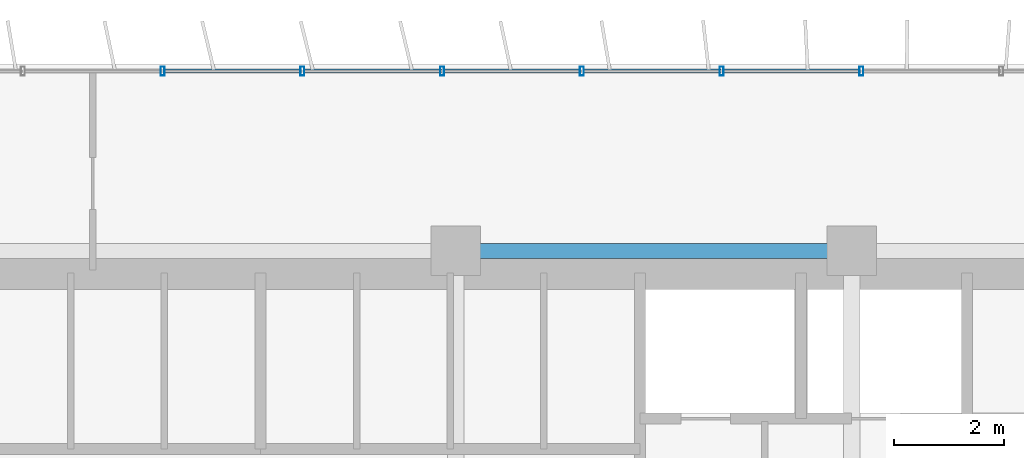
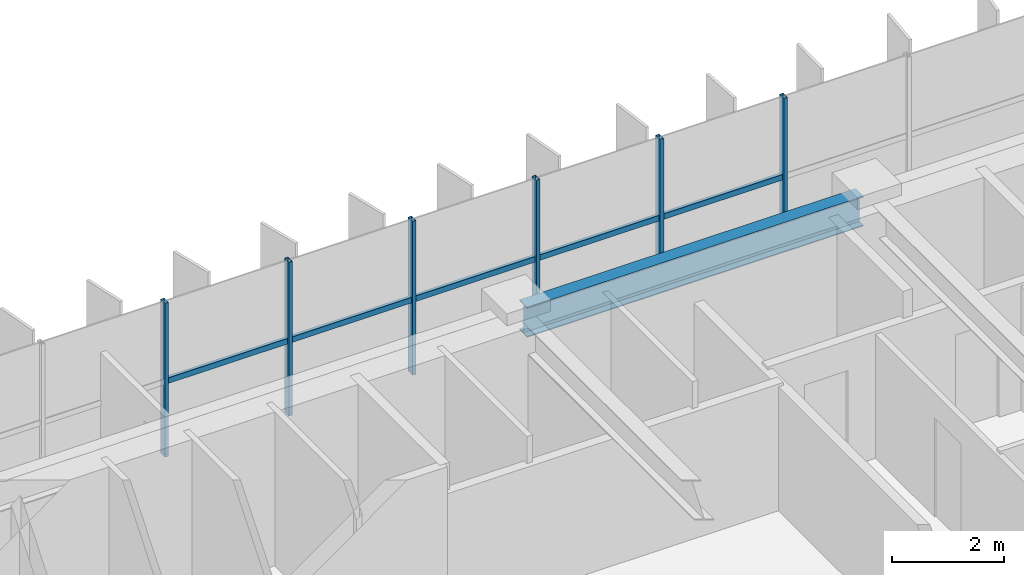
# One storey, part 10 of 21: 11 members, 1 beam, 1 element without a shape of its own.
"""IFC4 building model written with IfcOpenShell, lengths in metres."""

from ifc_helpers import new_model, si_unit, direction, frame, origin, origin_2d, place, context, subcontext, project, spatial, hollow_rectangle, i_section, extrude, source, transform, mapped, material, material_profile, profile_set, type_object, element, aggregate, save


model = new_model("IFC4")

# Units and contexts
model_context = context("Model", 3, precision=1e-05, world=origin(), true_north=direction((0.0, 1.0)))
body_context = subcontext(model_context, "Body", "Model", "MODEL_VIEW")
ifc_project = project(units=[si_unit("LENGTHUNIT", "METRE"), si_unit("AREAUNIT", "SQUARE_METRE"), si_unit("VOLUMEUNIT", "CUBIC_METRE"), si_unit("PLANEANGLEUNIT", "RADIAN"), si_unit("MASSUNIT", "GRAM", prefix="KILO")], contexts=[model_context])

# Site, building, storey
site_placement = place(None, origin())
site = spatial("IfcSite", under=ifc_project, at=site_placement, CompositionType="ELEMENT")
building_placement = place(site_placement, origin())
building = spatial("IfcBuilding", under=site, at=building_placement, Name="Trelvane Seafront Commons", CompositionType="ELEMENT")
storey_placement = place(building_placement, frame((0.0, 0.0, 37.89990234375)))
storey = spatial("IfcBuildingStorey", under=building, at=storey_placement, Name="L09", CompositionType="ELEMENT", Elevation=37.89990234375)

# Beam
ifc_material_1 = material(Name="Steel SM355 (S355)", Category="steel")
ifc_material_profile_1 = material_profile(ifc_material_1, i_section(OverallWidth=0.280029296875, OverallDepth=0.64990234375, WebThickness=0.012939453125, FlangeThickness=0.02197265625, at=origin_2d()), Name="H-650x280x13x22")
ifc_profile_set_1 = profile_set([ifc_material_profile_1], Name="Steel SM355 (S355)")
beam_type = type_object("IfcBeamType", Name="STR-BM-H650", PredefinedType="BEAM", material=ifc_profile_set_1)
shared_shape_1 = source(origin(), body_context, "Body", "SweptSolid", [
    extrude(i_section(OverallWidth=0.280029296875, OverallDepth=0.64990234375, WebThickness=0.012939453125, FlangeThickness=0.02197265625, at=origin_2d()), origin(), (0.0, 0.0, 1.0), 6.900146484375),
])
beam_placement = place(storey_placement, frame((43.949951171875, 45.10009765625, 3.01513671875), z_axis=(1.0, 0.0, 0.0), x_axis=(0.0, 1.0, 0.0)))
element("IfcBeam", 1, at=beam_placement, inside=storey, type_object=beam_type, Name="L09 Primary Girder G-33", PredefinedType="BEAM", context=body_context, shape_type="MappedRepresentation", body=[
    mapped(shared_shape_1, transform((0.0, 0.0, 0.0), x_axis=(1.0, 0.0, 0.0), y_axis=(0.0, 1.0, 0.0), z_axis=(0.0, 0.0, 1.0), scale=1.0)),
])

# Curtain wall, members
ifc_material_2 = material(Name="Anodised pale-silver aluminium", Category="aluminium")
curtain_wall_type = type_object("IfcCurtainWallType", Name="ARCH-CW2-LOWTOWER", PredefinedType="NOTDEFINED", material=ifc_material_2)
curtain_wall_placement = place(storey_placement, origin())
curtain_wall = element("IfcCurtainWall", 2, at=curtain_wall_placement, inside=storey, type_object=curtain_wall_type, Name="CW-L09-0033", PredefinedType="NOTDEFINED")
ifc_material_profile_2 = material_profile(ifc_material_2, hollow_rectangle(XDim=0.074951171875, YDim=0.159912109375, WallThickness=0.00390625, at=origin_2d()), Name="MULL-75x160x4")
ifc_profile_set_2 = profile_set([ifc_material_profile_2], Name="Anodised pale-silver aluminium")
member_type_1 = type_object("IfcMemberType", Name="ARCH-CW-MULL-160", PredefinedType="MULLION", material=ifc_profile_set_2)
shared_shape_2 = source(origin(), body_context, "Body", "SweptSolid", [
    extrude(hollow_rectangle(XDim=0.074951171875, YDim=0.159912109375, WallThickness=0.00390625, at=origin_2d()), origin(), (0.0, 0.0, 1.0), 3.340087890625),
])
member_1_placement = place(storey_placement, frame((38.470703125, 48.3701171875, 0.0), z_axis=(0.0, 0.0, 1.0), x_axis=(1.0, 0.0, 0.0)))
member_1 = element("IfcMember", 3, at=member_1_placement, type_object=member_type_1, Name="CW-L09-0033-M09", PredefinedType="MULLION", context=body_context, shape_type="MappedRepresentation", body=[
    mapped(shared_shape_2, transform((0.0, 0.0, 0.0), x_axis=(1.0, 0.0, 0.0), y_axis=(0.0, 1.0, 0.0), z_axis=(0.0, 0.0, 1.0), scale=1.0)),
])
member_2_placement = place(storey_placement, frame((41.01171875, 48.3701171875, 0.0), z_axis=(0.0, 0.0, 1.0), x_axis=(1.0, 0.0, 0.0)))
member_2 = element("IfcMember", 4, at=member_2_placement, type_object=member_type_1, Name="CW-L09-0033-M10", PredefinedType="MULLION", context=body_context, shape_type="MappedRepresentation", body=[
    mapped(shared_shape_2, transform((0.0, 0.0, 0.0), x_axis=(1.0, 0.0, 0.0), y_axis=(0.0, 1.0, 0.0), z_axis=(0.0, 0.0, 1.0), scale=1.0)),
])
member_3_placement = place(storey_placement, frame((43.552978515625, 48.3701171875, 0.0), z_axis=(0.0, 0.0, 1.0), x_axis=(1.0, 0.0, 0.0)))
member_3 = element("IfcMember", 5, at=member_3_placement, type_object=member_type_1, Name="CW-L09-0033-M11", PredefinedType="MULLION", context=body_context, shape_type="MappedRepresentation", body=[
    mapped(shared_shape_2, transform((0.0, 0.0, 0.0), x_axis=(1.0, 0.0, 0.0), y_axis=(0.0, 1.0, 0.0), z_axis=(0.0, 0.0, 1.0), scale=1.0)),
])
member_4_placement = place(storey_placement, frame((46.093994140625, 48.3701171875, 0.0), z_axis=(0.0, 0.0, 1.0), x_axis=(1.0, 0.0, 0.0)))
member_4 = element("IfcMember", 6, at=member_4_placement, type_object=member_type_1, Name="CW-L09-0033-M12", PredefinedType="MULLION", context=body_context, shape_type="MappedRepresentation", body=[
    mapped(shared_shape_2, transform((0.0, 0.0, 0.0), x_axis=(1.0, 0.0, 0.0), y_axis=(0.0, 1.0, 0.0), z_axis=(0.0, 0.0, 1.0), scale=1.0)),
])
member_5_placement = place(storey_placement, frame((48.63525390625, 48.3701171875, 0.0), z_axis=(0.0, 0.0, 1.0), x_axis=(1.0, 0.0, 0.0)))
member_5 = element("IfcMember", 7, at=member_5_placement, type_object=member_type_1, Name="CW-L09-0033-M13", PredefinedType="MULLION", context=body_context, shape_type="MappedRepresentation", body=[
    mapped(shared_shape_2, transform((0.0, 0.0, 0.0), x_axis=(1.0, 0.0, 0.0), y_axis=(0.0, 1.0, 0.0), z_axis=(0.0, 0.0, 1.0), scale=1.0)),
])
member_6_placement = place(storey_placement, frame((51.176513671875, 48.3701171875, 0.0), z_axis=(0.0, 0.0, 1.0), x_axis=(1.0, 0.0, 0.0)))
member_6 = element("IfcMember", 8, at=member_6_placement, type_object=member_type_1, Name="CW-L09-0033-M14", PredefinedType="MULLION", context=body_context, shape_type="MappedRepresentation", body=[
    mapped(shared_shape_2, transform((0.0, 0.0, 0.0), x_axis=(1.0, 0.0, 0.0), y_axis=(0.0, 1.0, 0.0), z_axis=(0.0, 0.0, 1.0), scale=1.0)),
])
ifc_material_profile_3 = material_profile(ifc_material_2, hollow_rectangle(XDim=0.070068359375, YDim=0.1201171875, WallThickness=0.00390625, at=origin_2d()), Name="TRAN-70x120x4")
ifc_profile_set_3 = profile_set([ifc_material_profile_3], Name="Anodised pale-silver aluminium")
member_type_2 = type_object("IfcMemberType", Name="ARCH-CW-TRAN-120", PredefinedType="USERDEFINED", material=ifc_profile_set_3)
shared_shape_3 = source(origin(), body_context, "Body", "SweptSolid", [
    extrude(hollow_rectangle(XDim=0.070068359375, YDim=0.1201171875, WallThickness=0.00390625, at=origin_2d()), origin(), (0.0, 0.0, 1.0), 2.51708984375),
])
member_7_placement = place(storey_placement, frame((38.482666015625, 48.3701171875, 1.60302734375), z_axis=(1.0, 0.0, 0.0), x_axis=(0.0, 1.0, 0.0)))
member_7 = element("IfcMember", 9, at=member_7_placement, type_object=member_type_2, Name="CW-L09-0033-T09", ObjectType="TRANSOM", PredefinedType="USERDEFINED", context=body_context, shape_type="MappedRepresentation", body=[
    mapped(shared_shape_3, transform((0.0, 0.0, 0.0), x_axis=(1.0, 0.0, 0.0), y_axis=(0.0, 1.0, 0.0), z_axis=(0.0, 0.0, 1.0), scale=1.0)),
])
member_8_placement = place(storey_placement, frame((43.56494140625, 48.3701171875, 1.60302734375), z_axis=(1.0, 0.0, 0.0), x_axis=(0.0, 1.0, 0.0)))
member_8 = element("IfcMember", 10, at=member_8_placement, type_object=member_type_2, Name="CW-L09-0033-T11", ObjectType="TRANSOM", PredefinedType="USERDEFINED", context=body_context, shape_type="MappedRepresentation", body=[
    mapped(shared_shape_3, transform((0.0, 0.0, 0.0), x_axis=(1.0, 0.0, 0.0), y_axis=(0.0, 1.0, 0.0), z_axis=(0.0, 0.0, 1.0), scale=1.0)),
])
member_9_placement = place(storey_placement, frame((46.106201171875, 48.3701171875, 1.60302734375), z_axis=(1.0, 0.0, 0.0), x_axis=(0.0, 1.0, 0.0)))
member_9 = element("IfcMember", 11, at=member_9_placement, type_object=member_type_2, Name="CW-L09-0033-T12", ObjectType="TRANSOM", PredefinedType="USERDEFINED", context=body_context, shape_type="MappedRepresentation", body=[
    mapped(shared_shape_3, transform((0.0, 0.0, 0.0), x_axis=(1.0, 0.0, 0.0), y_axis=(0.0, 1.0, 0.0), z_axis=(0.0, 0.0, 1.0), scale=1.0)),
])
shared_shape_4 = source(origin(), body_context, "Body", "SweptSolid", [
    extrude(hollow_rectangle(XDim=0.070068359375, YDim=0.1201171875, WallThickness=0.00390625, at=origin_2d()), origin(), (0.0, 0.0, 1.0), 2.517333984375),
])
member_10_placement = place(storey_placement, frame((41.023681640625, 48.3701171875, 1.60302734375), z_axis=(1.0, 0.0, 0.0), x_axis=(0.0, 1.0, 0.0)))
member_10 = element("IfcMember", 12, at=member_10_placement, type_object=member_type_2, Name="CW-L09-0033-T10", ObjectType="TRANSOM", PredefinedType="USERDEFINED", context=body_context, shape_type="MappedRepresentation", body=[
    mapped(shared_shape_4, transform((0.0, 0.0, 0.0), x_axis=(1.0, 0.0, 0.0), y_axis=(0.0, 1.0, 0.0), z_axis=(0.0, 0.0, 1.0), scale=1.0)),
])
member_11_placement = place(storey_placement, frame((48.647216796875, 48.3701171875, 1.60302734375), z_axis=(1.0, 0.0, 0.0), x_axis=(0.0, 1.0, 0.0)))
member_11 = element("IfcMember", 13, at=member_11_placement, type_object=member_type_2, Name="CW-L09-0033-T13", ObjectType="TRANSOM", PredefinedType="USERDEFINED", context=body_context, shape_type="MappedRepresentation", body=[
    mapped(shared_shape_4, transform((0.0, 0.0, 0.0), x_axis=(1.0, 0.0, 0.0), y_axis=(0.0, 1.0, 0.0), z_axis=(0.0, 0.0, 1.0), scale=1.0)),
])
aggregate(curtain_wall, [member_1, member_2, member_3, member_4, member_5, member_6, member_7, member_10, member_8, member_9, member_11])

save(model, "model.ifc")
